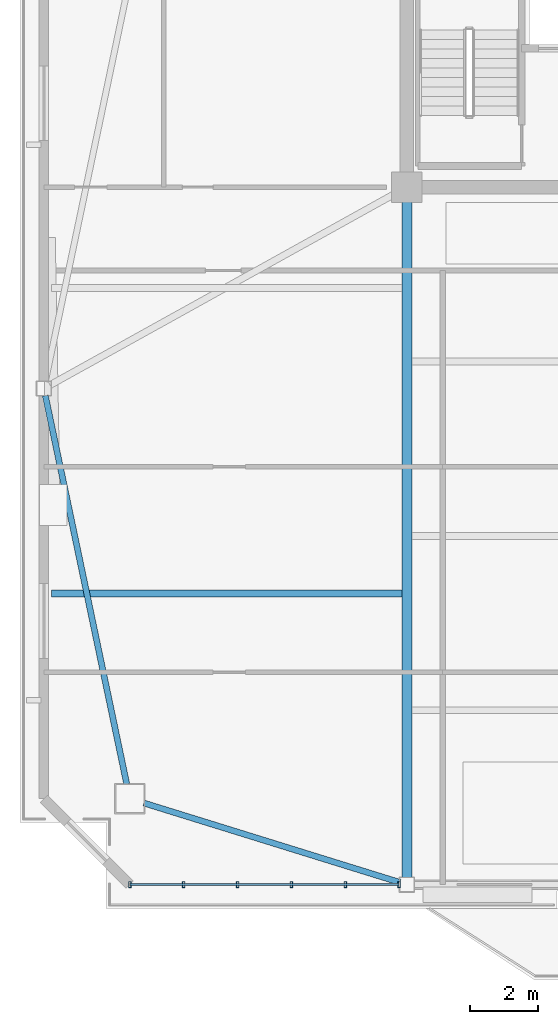
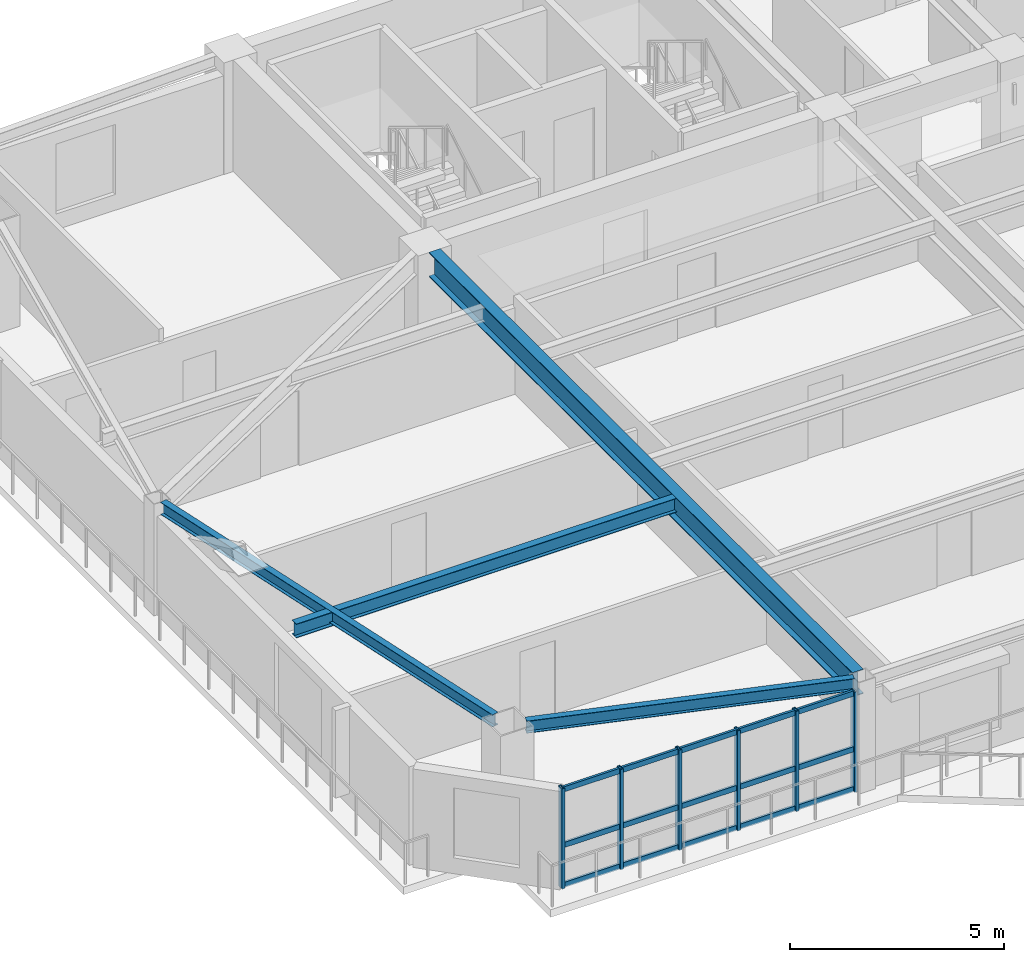
# One storey, part 2 of 16: 9 members, 4 beams, 1 element without a shape of its own.
"""IFC4 building model written with IfcOpenShell, lengths in metres."""

from ifc_helpers import new_model, si_unit, direction, frame, origin, origin_2d, place, context, subcontext, project, spatial, hollow_rectangle, i_section, extrude, source, transform, mapped, material, layer, layer_set, material_profile, profile_set, type_object, element, aggregate, save


model = new_model("IFC4")

# Units and contexts
model_context = context("Model", 3, precision=1e-05, world=origin(), true_north=direction((0.0, 1.0)))
body_context = subcontext(model_context, "Body", "Model", "MODEL_VIEW")
ifc_project = project(units=[si_unit("LENGTHUNIT", "METRE"), si_unit("AREAUNIT", "SQUARE_METRE"), si_unit("VOLUMEUNIT", "CUBIC_METRE"), si_unit("PLANEANGLEUNIT", "RADIAN"), si_unit("MASSUNIT", "GRAM", prefix="KILO")], contexts=[model_context])

# Site, building, storey
site_placement = place(None, origin())
site = spatial("IfcSite", under=ifc_project, at=site_placement, CompositionType="ELEMENT")
building_placement = place(site_placement, origin())
building = spatial("IfcBuilding", under=site, at=building_placement, Name="Giltprow Tower", CompositionType="ELEMENT")
storey_placement = place(building_placement, frame((0.0, 0.0, 272.300048828125)))
storey = spatial("IfcBuildingStorey", under=building, at=storey_placement, Name="L70", CompositionType="ELEMENT", Elevation=272.300048828125)

# Beams
ifc_material_1 = material(Name="Structural steel Q355B", Category="steel")
ifc_material_profile_1 = material_profile(ifc_material_1, i_section(OverallWidth=0.199951171875, OverallDepth=0.39990234375, WebThickness=0.008056640625, FlangeThickness=0.012939453125, at=origin_2d()), Name="HN 400x200x8x13")
ifc_profile_set_1 = profile_set([ifc_material_profile_1], Name="Structural steel Q355B")
beam_type_1 = type_object("IfcBeamType", Name="BM-JOIST-HN400", PredefinedType="JOIST", material=ifc_profile_set_1)
shared_shape_1 = source(origin(), body_context, "Body", "SweptSolid", [
    extrude(i_section(OverallWidth=0.199951171875, OverallDepth=0.39990234375, WebThickness=0.008056640625, FlangeThickness=0.012939453125, at=origin_2d()), origin(), (0.0, 0.0, 1.0), 10.291015625),
])
beam_1_placement = place(storey_placement, frame((9.4140625, 25.51806640625, 2.98486328125), z_axis=(1.0, 0.0, 0.0), x_axis=(0.0, 1.0, 0.0)))
element("IfcBeam", 1, at=beam_1_placement, inside=storey, type_object=beam_type_1, Name="L70 West Wing Floor Joist 1", PredefinedType="JOIST", context=body_context, shape_type="MappedRepresentation", body=[
    mapped(shared_shape_1, transform((0.0, 0.0, 0.0), x_axis=(1.0, 0.0, 0.0), y_axis=(0.0, 1.0, 0.0), z_axis=(0.0, 0.0, 1.0), scale=1.0)),
])
ifc_material_profile_2 = material_profile(ifc_material_1, i_section(OverallWidth=0.175048828125, OverallDepth=0.35009765625, WebThickness=0.007080078125, FlangeThickness=0.010986328125, at=origin_2d()), Name="HN 350x175x7x11")
ifc_profile_set_2 = profile_set([ifc_material_profile_2], Name="Structural steel Q355B")
beam_type_2 = type_object("IfcBeamType", Name="BM-SPAN-HN350", PredefinedType="SPANDREL", material=ifc_profile_set_2)
shared_shape_2 = source(origin(), body_context, "Body", "SweptSolid", [
    extrude(i_section(OverallWidth=0.175048828125, OverallDepth=0.35009765625, WebThickness=0.007080078125, FlangeThickness=0.010986328125, at=origin_2d()), origin(), (0.0, 0.0, 1.0), 7.870361328125),
])
beam_2_placement = place(storey_placement, frame((12.132080078125, 19.3701171875, 3.010009765625), z_axis=(0.955092293256, -0.296308473324, 0.0), x_axis=(0.296308473324, 0.955092293256, 0.0)))
element("IfcBeam", 2, at=beam_2_placement, inside=storey, type_object=beam_type_2, Name="L70 Perimeter Spandrel Beam MC_SW-S1", PredefinedType="SPANDREL", context=body_context, shape_type="MappedRepresentation", body=[
    mapped(shared_shape_2, transform((0.0, 0.0, 0.0), x_axis=(1.0, 0.0, 0.0), y_axis=(0.0, 1.0, 0.0), z_axis=(0.0, 0.0, 1.0), scale=1.0)),
])
shared_shape_3 = source(origin(), body_context, "Body", "SweptSolid", [
    extrude(i_section(OverallWidth=0.175048828125, OverallDepth=0.35009765625, WebThickness=0.007080078125, FlangeThickness=0.010986328125, at=origin_2d()), origin(), (0.0, 0.0, 1.0), 11.65478515625),
])
beam_3_placement = place(storey_placement, frame((9.237060546875, 31.33203125, 3.010009765625), z_axis=(0.205139436655, -0.978732757973, 0.0), x_axis=(0.978732757973, 0.205139436655, 0.0)))
element("IfcBeam", 3, at=beam_3_placement, inside=storey, type_object=beam_type_2, Name="L70 Perimeter Spandrel Beam W_MID-MC_SW", PredefinedType="SPANDREL", context=body_context, shape_type="MappedRepresentation", body=[
    mapped(shared_shape_3, transform((0.0, 0.0, 0.0), x_axis=(1.0, 0.0, 0.0), y_axis=(0.0, 1.0, 0.0), z_axis=(0.0, 0.0, 1.0), scale=1.0)),
])
ifc_material_profile_3 = material_profile(ifc_material_1, i_section(OverallWidth=0.300048828125, OverallDepth=0.699951171875, WebThickness=0.012939453125, FlangeThickness=0.02392578125, at=origin_2d()), Name="HN 700x300x13x24")
ifc_profile_set_3 = profile_set([ifc_material_profile_3], Name="Structural steel Q355B")
beam_type_3 = type_object("IfcBeamType", Name="BM-GIRD-HN700", PredefinedType="BEAM", material=ifc_profile_set_3)
shared_shape_4 = source(origin(), body_context, "Body", "SweptSolid", [
    extrude(i_section(OverallWidth=0.300048828125, OverallDepth=0.699951171875, WebThickness=0.012939453125, FlangeThickness=0.02392578125, at=origin_2d()), origin(), (0.0, 0.0, 1.0), 19.828857421875),
])
beam_4_placement = place(storey_placement, frame((19.85009765625, 17.18603515625, 2.8349609375), z_axis=(0.0, 1.0, 0.0), x_axis=(-1.0, 0.0, 0.0)))
element("IfcBeam", 4, at=beam_4_placement, inside=storey, type_object=beam_type_3, Name="L70 Primary Lease Girder S1", PredefinedType="BEAM", context=body_context, shape_type="MappedRepresentation", body=[
    mapped(shared_shape_4, transform((0.0, 0.0, 0.0), x_axis=(1.0, 0.0, 0.0), y_axis=(0.0, 1.0, 0.0), z_axis=(0.0, 0.0, 1.0), scale=1.0)),
])

# Curtain wall, members
ifc_material_2 = material(Name="Anodized bronze", Category="metal")
ifc_layer = layer(ifc_material_2, 0.179931640625, Name="Anodized bronze")
ifc_layer_set = layer_set([ifc_layer], Name="Anodized bronze")
curtain_wall_type = type_object("IfcCurtainWallType", Name="CW-RES-SKY", PredefinedType="NOTDEFINED", material=ifc_layer_set)
curtain_wall_placement = place(storey_placement, origin())
curtain_wall = element("IfcCurtainWall", 5, at=curtain_wall_placement, inside=storey, type_object=curtain_wall_type, Name="L70 South Recessed Curtain Wall 1", PredefinedType="NOTDEFINED")
ifc_material_profile_4 = material_profile(ifc_material_2, hollow_rectangle(XDim=0.074951171875, YDim=0.179931640625, WallThickness=0.008056640625, at=origin_2d()), Name="RHS 180x75x8")
ifc_profile_set_4 = profile_set([ifc_material_profile_4], Name="Anodized bronze")
member_type_1 = type_object("IfcMemberType", Name="CW-MULLION-180x75", PredefinedType="MULLION", material=ifc_profile_set_4)
shared_shape_5 = source(origin(), body_context, "Body", "SweptSolid", [
    extrude(hollow_rectangle(XDim=0.074951171875, YDim=0.179931640625, WallThickness=0.008056640625, at=origin_2d()), origin(), (0.0, 0.0, 1.0), 2.869873046875),
])
member_1_placement = place(storey_placement, frame((11.717041015625, 16.97607421875, -0.02001953125), z_axis=(0.0, 0.0, 1.0), x_axis=(1.0, 0.0, 0.0)))
member_1 = element("IfcMember", 6, at=member_1_placement, type_object=member_type_1, Name="L70 South Recessed Curtain Wall 1 Mullion 1", PredefinedType="MULLION", context=body_context, shape_type="MappedRepresentation", body=[
    mapped(shared_shape_5, transform((0.0, 0.0, 0.0), x_axis=(1.0, 0.0, 0.0), y_axis=(0.0, 1.0, 0.0), z_axis=(0.0, 0.0, 1.0), scale=1.0)),
])
member_2_placement = place(storey_placement, frame((13.299072265625, 16.97607421875, -0.02001953125), z_axis=(0.0, 0.0, 1.0), x_axis=(1.0, 0.0, 0.0)))
member_2 = element("IfcMember", 7, at=member_2_placement, type_object=member_type_1, Name="L70 South Recessed Curtain Wall 1 Mullion 2", PredefinedType="MULLION", context=body_context, shape_type="MappedRepresentation", body=[
    mapped(shared_shape_5, transform((0.0, 0.0, 0.0), x_axis=(1.0, 0.0, 0.0), y_axis=(0.0, 1.0, 0.0), z_axis=(0.0, 0.0, 1.0), scale=1.0)),
])
member_3_placement = place(storey_placement, frame((14.8798828125, 16.97607421875, -0.02001953125), z_axis=(0.0, 0.0, 1.0), x_axis=(1.0, 0.0, 0.0)))
member_3 = element("IfcMember", 8, at=member_3_placement, type_object=member_type_1, Name="L70 South Recessed Curtain Wall 1 Mullion 3", PredefinedType="MULLION", context=body_context, shape_type="MappedRepresentation", body=[
    mapped(shared_shape_5, transform((0.0, 0.0, 0.0), x_axis=(1.0, 0.0, 0.0), y_axis=(0.0, 1.0, 0.0), z_axis=(0.0, 0.0, 1.0), scale=1.0)),
])
member_4_placement = place(storey_placement, frame((16.4619140625, 16.97607421875, -0.02001953125), z_axis=(0.0, 0.0, 1.0), x_axis=(1.0, 0.0, 0.0)))
member_4 = element("IfcMember", 9, at=member_4_placement, type_object=member_type_1, Name="L70 South Recessed Curtain Wall 1 Mullion 4", PredefinedType="MULLION", context=body_context, shape_type="MappedRepresentation", body=[
    mapped(shared_shape_5, transform((0.0, 0.0, 0.0), x_axis=(1.0, 0.0, 0.0), y_axis=(0.0, 1.0, 0.0), z_axis=(0.0, 0.0, 1.0), scale=1.0)),
])
member_5_placement = place(storey_placement, frame((18.04296875, 16.97607421875, -0.02001953125), z_axis=(0.0, 0.0, 1.0), x_axis=(1.0, 0.0, 0.0)))
member_5 = element("IfcMember", 10, at=member_5_placement, type_object=member_type_1, Name="L70 South Recessed Curtain Wall 1 Mullion 5", PredefinedType="MULLION", context=body_context, shape_type="MappedRepresentation", body=[
    mapped(shared_shape_5, transform((0.0, 0.0, 0.0), x_axis=(1.0, 0.0, 0.0), y_axis=(0.0, 1.0, 0.0), z_axis=(0.0, 0.0, 1.0), scale=1.0)),
])
member_6_placement = place(storey_placement, frame((19.625, 16.97607421875, -0.02001953125), z_axis=(0.0, 0.0, 1.0), x_axis=(1.0, 0.0, 0.0)))
member_6 = element("IfcMember", 11, at=member_6_placement, type_object=member_type_1, Name="L70 South Recessed Curtain Wall 1 Mullion 6", PredefinedType="MULLION", context=body_context, shape_type="MappedRepresentation", body=[
    mapped(shared_shape_5, transform((0.0, 0.0, 0.0), x_axis=(1.0, 0.0, 0.0), y_axis=(0.0, 1.0, 0.0), z_axis=(0.0, 0.0, 1.0), scale=1.0)),
])
ifc_material_profile_5 = material_profile(ifc_material_2, hollow_rectangle(XDim=0.06494140625, YDim=0.14990234375, WallThickness=0.006103515625, at=origin_2d()), Name="RHS 150x65x6")
ifc_profile_set_5 = profile_set([ifc_material_profile_5], Name="Anodized bronze")
member_type_2 = type_object("IfcMemberType", Name="CW-TRANSOM-150x65", PredefinedType="USERDEFINED", material=ifc_profile_set_5)
shared_shape_6 = source(origin(), body_context, "Body", "SweptSolid", [
    extrude(hollow_rectangle(XDim=0.06494140625, YDim=0.14990234375, WallThickness=0.006103515625, at=origin_2d()), origin(), (0.0, 0.0, 1.0), 7.907958984375),
])
member_7_placement = place(storey_placement, frame((11.717041015625, 16.97607421875, 0.0400390625), z_axis=(1.0, 0.0, 0.0), x_axis=(0.0, 1.0, 0.0)))
member_7 = element("IfcMember", 12, at=member_7_placement, type_object=member_type_2, Name="L70 South Recessed Curtain Wall 1 Transom 1", ObjectType="TRANSOM", PredefinedType="USERDEFINED", context=body_context, shape_type="MappedRepresentation", body=[
    mapped(shared_shape_6, transform((0.0, 0.0, 0.0), x_axis=(1.0, 0.0, 0.0), y_axis=(0.0, 1.0, 0.0), z_axis=(0.0, 0.0, 1.0), scale=1.0)),
])
member_8_placement = place(storey_placement, frame((11.717041015625, 16.97607421875, 1.181884765625), z_axis=(1.0, 0.0, 0.0), x_axis=(0.0, 1.0, 0.0)))
member_8 = element("IfcMember", 13, at=member_8_placement, type_object=member_type_2, Name="L70 South Recessed Curtain Wall 1 Transom 2", ObjectType="TRANSOM", PredefinedType="USERDEFINED", context=body_context, shape_type="MappedRepresentation", body=[
    mapped(shared_shape_6, transform((0.0, 0.0, 0.0), x_axis=(1.0, 0.0, 0.0), y_axis=(0.0, 1.0, 0.0), z_axis=(0.0, 0.0, 1.0), scale=1.0)),
])
member_9_placement = place(storey_placement, frame((11.717041015625, 16.97607421875, 2.77490234375), z_axis=(1.0, 0.0, 0.0), x_axis=(0.0, 1.0, 0.0)))
member_9 = element("IfcMember", 14, at=member_9_placement, type_object=member_type_2, Name="L70 South Recessed Curtain Wall 1 Transom 3", ObjectType="TRANSOM", PredefinedType="USERDEFINED", context=body_context, shape_type="MappedRepresentation", body=[
    mapped(shared_shape_6, transform((0.0, 0.0, 0.0), x_axis=(1.0, 0.0, 0.0), y_axis=(0.0, 1.0, 0.0), z_axis=(0.0, 0.0, 1.0), scale=1.0)),
])
aggregate(curtain_wall, [member_1, member_2, member_3, member_4, member_5, member_6, member_7, member_8, member_9])

save(model, "model.ifc")
